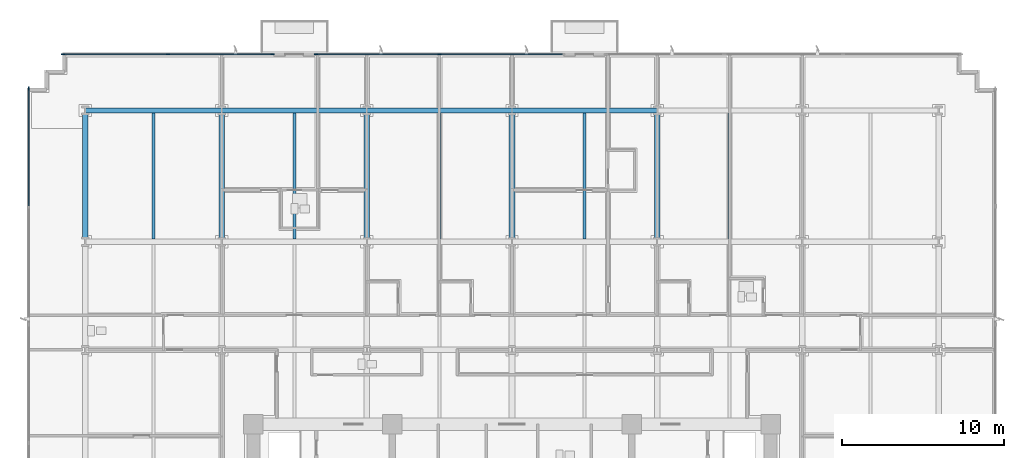
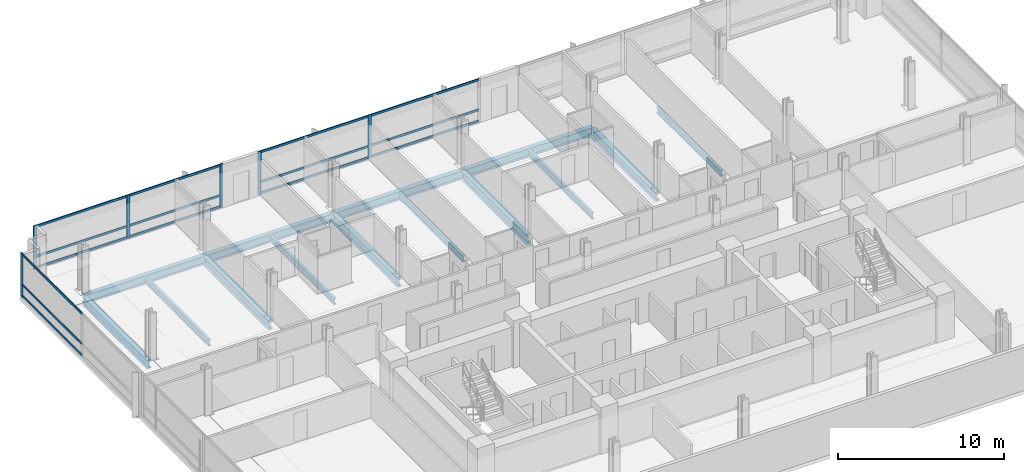
# One storey, part 5 of 16: 21 members, 14 beams, 3 elements without a shape of their own.
"""IFC4 building model written with IfcOpenShell, lengths in metres."""

from ifc_helpers import new_model, si_unit, direction, frame, origin, origin_2d, place, context, subcontext, project, spatial, rectangle, i_section, extrude, material, material_profile, profile_set, type_object, element, aggregate, save


model = new_model("IFC4")

# Units and contexts
model_context = context("Model", 3, precision=1e-05, world=origin(), true_north=direction((0.0, 1.0)))
body_context = subcontext(model_context, "Body", "Model", "MODEL_VIEW")
ifc_project = project(units=[si_unit("LENGTHUNIT", "METRE"), si_unit("AREAUNIT", "SQUARE_METRE"), si_unit("VOLUMEUNIT", "CUBIC_METRE"), si_unit("PLANEANGLEUNIT", "RADIAN"), si_unit("MASSUNIT", "GRAM", prefix="KILO")], contexts=[model_context])

# Site, building, storey
site_placement = place(None, origin())
site = spatial("IfcSite", under=ifc_project, at=site_placement, CompositionType="ELEMENT")
building_placement = place(site_placement, origin())
building = spatial("IfcBuilding", under=site, at=building_placement, Name="Solmavex Isthmus Hotel", CompositionType="ELEMENT")
storey_placement = place(building_placement, frame((0.0, 0.0, 67.800048828125)))
storey = spatial("IfcBuildingStorey", under=building, at=storey_placement, Name="L18", CompositionType="ELEMENT", Elevation=67.800048828125)

# Beams
ifc_material_1 = material(Name="Steel ASTM A992 Grade 50", Category="steel")
ifc_material_profile_1 = material_profile(ifc_material_1, i_section(OverallWidth=0.354736328125, OverallDepth=0.695556640625, WebThickness=0.015380859375, FlangeThickness=0.02490234375, FilletRadius=0.017822265625, at=origin_2d()), Name="W27X146")
ifc_profile_set_1 = profile_set([ifc_material_profile_1], Name="Steel ASTM A992 Grade 50")
beam_type_1 = type_object("IfcBeamType", Name="BM-BG-W27X146", PredefinedType="BEAM", material=ifc_profile_set_1)
for number, where, z_axis, x_axis, name in (
    (1, (-17.951904296875, 8.96533203125, -0.60791015625), (0.0, 1.0, 0.0), (-1.0, 0.0, 0.0), "Floor Beam L18-VG30"),
    (2, (-8.97607421875, 8.96533203125, -0.60791015625), (0.0, 1.0, 0.0), (-1.0, 0.0, 0.0), "Floor Beam L18-VG34"),
    (3, (0.0, 8.96533203125, -0.60791015625), (0.0, 1.0, 0.0), (-1.0, 0.0, 0.0), "Floor Beam L18-VG38"),
    (4, (8.97607421875, 8.96533203125, -0.60791015625), (0.0, 1.0, 0.0), (-1.0, 0.0, 0.0), "Floor Beam L18-VG42"),
):
    element("IfcBeam", number, at=place(storey_placement, frame(where, z_axis=z_axis, x_axis=x_axis)), inside=storey, type_object=beam_type_1, Name=name, PredefinedType="BEAM", context=body_context, shape_type="SweptSolid", body=[
        extrude(i_section(OverallWidth=0.354736328125, OverallDepth=0.695556640625, WebThickness=0.015380859375, FlangeThickness=0.02490234375, FilletRadius=0.017822265625, at=origin_2d()), origin(), (0.0, 0.0, 1.0), 7.771484375),
    ])
ifc_material_profile_2 = material_profile(ifc_material_1, i_section(OverallWidth=0.1904296875, OverallDepth=0.456787109375, WebThickness=0.009033203125, FlangeThickness=0.014404296875, FilletRadius=0.0126953125, at=origin_2d()), Name="W18X50")
ifc_profile_set_2 = profile_set([ifc_material_profile_2], Name="Steel ASTM A992 Grade 50")
beam_type_2 = type_object("IfcBeamType", Name="BM-BJ-W18X50", PredefinedType="JOIST", material=ifc_profile_set_2)
for number, where, z_axis, x_axis, name in (
    (5, (-22.176025390625, 8.96533203125, -0.488525390625), (0.0, 1.0, 0.0), (-1.0, 0.0, 0.0), "Secondary Floor Joist L18-J03"),
    (6, (-13.464111328125, 8.96533203125, -0.488525390625), (0.0, 1.0, 0.0), (-1.0, 0.0, 0.0), "Secondary Floor Joist L18-J07"),
    (7, (-4.488037109375, 8.96533203125, -0.488525390625), (0.0, 1.0, 0.0), (-1.0, 0.0, 0.0), "Secondary Floor Joist L18-J11"),
    (8, (4.488037109375, 8.96533203125, -0.488525390625), (0.0, 1.0, 0.0), (-1.0, 0.0, 0.0), "Secondary Floor Joist L18-J15"),
    (9, (13.464111328125, 8.96533203125, -0.488525390625), (0.0, 1.0, 0.0), (-1.0, 0.0, 0.0), "Secondary Floor Joist L18-J19"),
):
    element("IfcBeam", number, at=place(storey_placement, frame(where, z_axis=z_axis, x_axis=x_axis)), inside=storey, type_object=beam_type_2, Name=name, PredefinedType="JOIST", context=body_context, shape_type="SweptSolid", body=[
        extrude(i_section(OverallWidth=0.1904296875, OverallDepth=0.456787109375, WebThickness=0.009033203125, FlangeThickness=0.014404296875, FilletRadius=0.0126953125, at=origin_2d()), origin(), (0.0, 0.0, 1.0), 7.771484375),
    ])
ifc_material_profile_3 = material_profile(ifc_material_1, i_section(OverallWidth=0.326416015625, OverallDepth=0.621826171875, WebThickness=0.015380859375, FlangeThickness=0.0244140625, FilletRadius=0.01513671875, at=origin_2d()), Name="W24X131")
ifc_profile_set_3 = profile_set([ifc_material_profile_3], Name="Steel ASTM A992 Grade 50")
beam_type_3 = type_object("IfcBeamType", Name="BM-SP-W24X131", PredefinedType="SPANDREL", material=ifc_profile_set_3)
beam_1_placement = place(storey_placement, frame((-26.39990234375, 16.89990234375, -0.571044921875), z_axis=(1.0, 0.0, 0.0), x_axis=(0.0, 1.0, 0.0)))
element("IfcBeam", 10, at=beam_1_placement, inside=storey, type_object=beam_type_3, Name="Floor Girder L18-UG19", PredefinedType="SPANDREL", context=body_context, shape_type="SweptSolid", body=[
    extrude(i_section(OverallWidth=0.326416015625, OverallDepth=0.621826171875, WebThickness=0.015380859375, FlangeThickness=0.0244140625, FilletRadius=0.01513671875, at=origin_2d()), origin(), (0.0, 0.0, 1.0), 8.447998046875),
])
beam_2_placement = place(storey_placement, frame((-17.951904296875, 16.89990234375, -0.571044921875), z_axis=(1.0, 0.0, 0.0), x_axis=(0.0, 1.0, 0.0)))
element("IfcBeam", 11, at=beam_2_placement, inside=storey, type_object=beam_type_3, Name="Floor Girder L18-UG20", PredefinedType="SPANDREL", context=body_context, shape_type="SweptSolid", body=[
    extrude(i_section(OverallWidth=0.326416015625, OverallDepth=0.621826171875, WebThickness=0.015380859375, FlangeThickness=0.0244140625, FilletRadius=0.01513671875, at=origin_2d()), origin(), (0.0, 0.0, 1.0), 8.975830078125),
])
for number, where, z_axis, x_axis, name in (
    (12, (-8.97607421875, 16.89990234375, -0.571044921875), (1.0, 0.0, 0.0), (0.0, 1.0, 0.0), "Floor Girder L18-UG21"),
    (13, (0.0, 16.89990234375, -0.571044921875), (1.0, 0.0, 0.0), (0.0, 1.0, 0.0), "Floor Girder L18-UG22"),
):
    element("IfcBeam", number, at=place(storey_placement, frame(where, z_axis=z_axis, x_axis=x_axis)), inside=storey, type_object=beam_type_3, Name=name, PredefinedType="SPANDREL", context=body_context, shape_type="SweptSolid", body=[
        extrude(i_section(OverallWidth=0.326416015625, OverallDepth=0.621826171875, WebThickness=0.015380859375, FlangeThickness=0.0244140625, FilletRadius=0.01513671875, at=origin_2d()), origin(), (0.0, 0.0, 1.0), 8.97607421875),
    ])
beam_3_placement = place(storey_placement, frame((-26.39990234375, 8.96533203125, -0.571044921875), z_axis=(0.0, 1.0, 0.0), x_axis=(-1.0, 0.0, 0.0)))
element("IfcBeam", 14, at=beam_3_placement, inside=storey, type_object=beam_type_3, Name="Floor Beam L18-VG27", PredefinedType="SPANDREL", context=body_context, shape_type="SweptSolid", body=[
    extrude(i_section(OverallWidth=0.326416015625, OverallDepth=0.621826171875, WebThickness=0.015380859375, FlangeThickness=0.0244140625, FilletRadius=0.01513671875, at=origin_2d()), origin(), (0.0, 0.0, 1.0), 7.771484375),
])

# Curtain wall, members
ifc_material_2 = material(Name="Aluminium alloy 6063-T6", Category="aluminium")
curtain_wall_type = type_object("IfcCurtainWallType", Name="CW-SYS-02", PredefinedType="NOTDEFINED", material=ifc_material_2)
curtain_wall_1_placement = place(storey_placement, origin())
curtain_wall_1 = element("IfcCurtainWall", 15, at=curtain_wall_1_placement, inside=storey, type_object=curtain_wall_type, Name="Stick Curtain Wall CWL-L18-N1", PredefinedType="NOTDEFINED")
ifc_material_profile_4 = material_profile(ifc_material_2, rectangle(XDim=0.074951171875, YDim=0.219970703125, at=origin_2d()), Name="CWM-75X220")
ifc_profile_set_4 = profile_set([ifc_material_profile_4], Name="Aluminium alloy 6063-T6")
member_type_1 = type_object("IfcMemberType", Name="CW-SYS-02-MUL", PredefinedType="MULLION", material=ifc_profile_set_4)
member_1_placement = place(storey_placement, frame((-27.762451171875, 20.3798828125, 0.0), z_axis=(0.0, 0.0, 1.0), x_axis=(0.0, 1.0, 0.0)))
member_1 = element("IfcMember", 16, at=member_1_placement, type_object=member_type_1, Name="CW-02 mullion 1", PredefinedType="MULLION", context=body_context, shape_type="SweptSolid", body=[
    extrude(rectangle(XDim=0.074951171875, YDim=0.219970703125, at=origin_2d()), origin(), (0.0, 0.0, 1.0), 3.18994140625),
])
member_2_placement = place(storey_placement, frame((-21.281982421875, 20.3798828125, 0.0), z_axis=(0.0, 0.0, 1.0), x_axis=(0.0, 1.0, 0.0)))
member_2 = element("IfcMember", 17, at=member_2_placement, type_object=member_type_1, Name="CW-02 mullion 2", PredefinedType="MULLION", context=body_context, shape_type="SweptSolid", body=[
    extrude(rectangle(XDim=0.074951171875, YDim=0.219970703125, at=origin_2d()), origin(), (0.0, 0.0, 1.0), 3.18994140625),
])
member_3_placement = place(storey_placement, frame((-14.801513671875, 20.3798828125, 0.0), z_axis=(0.0, 0.0, 1.0), x_axis=(0.0, 1.0, 0.0)))
member_3 = element("IfcMember", 18, at=member_3_placement, type_object=member_type_1, Name="CW-02 mullion 3", PredefinedType="MULLION", context=body_context, shape_type="SweptSolid", body=[
    extrude(rectangle(XDim=0.074951171875, YDim=0.219970703125, at=origin_2d()), origin(), (0.0, 0.0, 1.0), 3.18994140625),
])

curtain_wall_2_placement = place(storey_placement, origin())
curtain_wall_2 = element("IfcCurtainWall", 19, at=curtain_wall_2_placement, inside=storey, type_object=curtain_wall_type, Name="Stick Curtain Wall CWL-L18-N2", PredefinedType="NOTDEFINED")
member_4_placement = place(storey_placement, frame((-12.12646484375, 20.3798828125, 0.0), z_axis=(0.0, 0.0, 1.0), x_axis=(0.0, 1.0, 0.0)))
member_4 = element("IfcMember", 20, at=member_4_placement, type_object=member_type_1, Name="CW-02 mullion 1", PredefinedType="MULLION", context=body_context, shape_type="SweptSolid", body=[
    extrude(rectangle(XDim=0.074951171875, YDim=0.219970703125, at=origin_2d()), origin(), (0.0, 0.0, 1.0), 3.18994140625),
])
member_5_placement = place(storey_placement, frame((-4.488037109375, 20.3798828125, 0.0), z_axis=(0.0, 0.0, 1.0), x_axis=(0.0, 1.0, 0.0)))
member_5 = element("IfcMember", 21, at=member_5_placement, type_object=member_type_1, Name="CW-02 mullion 2", PredefinedType="MULLION", context=body_context, shape_type="SweptSolid", body=[
    extrude(rectangle(XDim=0.074951171875, YDim=0.219970703125, at=origin_2d()), origin(), (0.0, 0.0, 1.0), 3.18994140625),
])

# Curtain wall, member
curtain_wall_3_placement = place(storey_placement, origin())
curtain_wall_3 = element("IfcCurtainWall", 22, at=curtain_wall_3_placement, inside=storey, type_object=curtain_wall_type, Name="Stick Curtain Wall CWL-L18-W1", PredefinedType="NOTDEFINED")
member_6_placement = place(storey_placement, frame((-29.8798828125, 18.262451171875, 0.0), z_axis=(0.0, 0.0, 1.0), x_axis=(-1.0, 0.0, 0.0)))
member_6 = element("IfcMember", 23, at=member_6_placement, type_object=member_type_1, Name="CW-02 mullion 6", PredefinedType="MULLION", context=body_context, shape_type="SweptSolid", body=[
    extrude(rectangle(XDim=0.074951171875, YDim=0.219970703125, at=origin_2d()), origin(), (0.0, 0.0, 1.0), 3.18994140625),
])

# Member
ifc_material_profile_5 = material_profile(ifc_material_2, rectangle(XDim=0.074951171875, YDim=0.159912109375, at=origin_2d()), Name="CWT-75X160")
ifc_profile_set_5 = profile_set([ifc_material_profile_5], Name="Aluminium alloy 6063-T6")
member_type_2 = type_object("IfcMemberType", Name="CW-SYS-02-TRN", PredefinedType="USERDEFINED", material=ifc_profile_set_5)
member_7_placement = place(storey_placement, frame((-27.72509765625, 20.3798828125, 0.079833984375), z_axis=(1.0, 0.0, 0.0), x_axis=(0.0, 1.0, 0.0)))
member_7 = element("IfcMember", 24, at=member_7_placement, type_object=member_type_2, Name="CW-02 transom 1.1", ObjectType="TRANSOM", PredefinedType="USERDEFINED", context=body_context, shape_type="SweptSolid", body=[
    extrude(rectangle(XDim=0.074951171875, YDim=0.159912109375, at=origin_2d()), origin(), (0.0, 0.0, 1.0), 6.405517578125),
])

member_8_placement = place(storey_placement, frame((-27.72509765625, 20.3798828125, 0.89990234375), z_axis=(1.0, 0.0, 0.0), x_axis=(0.0, 1.0, 0.0)))
member_8 = element("IfcMember", 25, at=member_8_placement, type_object=member_type_2, Name="CW-02 transom 1.2", ObjectType="TRANSOM", PredefinedType="USERDEFINED", context=body_context, shape_type="SweptSolid", body=[
    extrude(rectangle(XDim=0.074951171875, YDim=0.159912109375, at=origin_2d()), origin(), (0.0, 0.0, 1.0), 6.405517578125),
])

member_9_placement = place(storey_placement, frame((-27.72509765625, 20.3798828125, 3.10986328125), z_axis=(1.0, 0.0, 0.0), x_axis=(0.0, 1.0, 0.0)))
member_9 = element("IfcMember", 26, at=member_9_placement, type_object=member_type_2, Name="CW-02 transom 1.3", ObjectType="TRANSOM", PredefinedType="USERDEFINED", context=body_context, shape_type="SweptSolid", body=[
    extrude(rectangle(XDim=0.074951171875, YDim=0.159912109375, at=origin_2d()), origin(), (0.0, 0.0, 1.0), 6.405517578125),
])

member_10_placement = place(storey_placement, frame((-21.244384765625, 20.3798828125, 0.079833984375), z_axis=(1.0, 0.0, 0.0), x_axis=(0.0, 1.0, 0.0)))
member_10 = element("IfcMember", 27, at=member_10_placement, type_object=member_type_2, Name="CW-02 transom 2.1", ObjectType="TRANSOM", PredefinedType="USERDEFINED", context=body_context, shape_type="SweptSolid", body=[
    extrude(rectangle(XDim=0.074951171875, YDim=0.159912109375, at=origin_2d()), origin(), (0.0, 0.0, 1.0), 6.4052734375),
])

member_11_placement = place(storey_placement, frame((-21.244384765625, 20.3798828125, 0.89990234375), z_axis=(1.0, 0.0, 0.0), x_axis=(0.0, 1.0, 0.0)))
member_11 = element("IfcMember", 28, at=member_11_placement, type_object=member_type_2, Name="CW-02 transom 2.2", ObjectType="TRANSOM", PredefinedType="USERDEFINED", context=body_context, shape_type="SweptSolid", body=[
    extrude(rectangle(XDim=0.074951171875, YDim=0.159912109375, at=origin_2d()), origin(), (0.0, 0.0, 1.0), 6.4052734375),
])

member_12_placement = place(storey_placement, frame((-21.244384765625, 20.3798828125, 3.10986328125), z_axis=(1.0, 0.0, 0.0), x_axis=(0.0, 1.0, 0.0)))
member_12 = element("IfcMember", 29, at=member_12_placement, type_object=member_type_2, Name="CW-02 transom 2.3", ObjectType="TRANSOM", PredefinedType="USERDEFINED", context=body_context, shape_type="SweptSolid", body=[
    extrude(rectangle(XDim=0.074951171875, YDim=0.159912109375, at=origin_2d()), origin(), (0.0, 0.0, 1.0), 6.4052734375),
])

aggregate(curtain_wall_1, [member_1, member_2, member_3, member_7, member_8, member_9, member_10, member_11, member_12])

member_13_placement = place(storey_placement, frame((-12.089111328125, 20.3798828125, 0.079833984375), z_axis=(1.0, 0.0, 0.0), x_axis=(0.0, 1.0, 0.0)))
member_13 = element("IfcMember", 30, at=member_13_placement, type_object=member_type_2, Name="CW-02 transom 1.1", ObjectType="TRANSOM", PredefinedType="USERDEFINED", context=body_context, shape_type="SweptSolid", body=[
    extrude(rectangle(XDim=0.074951171875, YDim=0.159912109375, at=origin_2d()), origin(), (0.0, 0.0, 1.0), 7.563720703125),
])

member_14_placement = place(storey_placement, frame((-12.089111328125, 20.3798828125, 0.89990234375), z_axis=(1.0, 0.0, 0.0), x_axis=(0.0, 1.0, 0.0)))
member_14 = element("IfcMember", 31, at=member_14_placement, type_object=member_type_2, Name="CW-02 transom 1.2", ObjectType="TRANSOM", PredefinedType="USERDEFINED", context=body_context, shape_type="SweptSolid", body=[
    extrude(rectangle(XDim=0.074951171875, YDim=0.159912109375, at=origin_2d()), origin(), (0.0, 0.0, 1.0), 7.563720703125),
])

member_15_placement = place(storey_placement, frame((-12.089111328125, 20.3798828125, 3.10986328125), z_axis=(1.0, 0.0, 0.0), x_axis=(0.0, 1.0, 0.0)))
member_15 = element("IfcMember", 32, at=member_15_placement, type_object=member_type_2, Name="CW-02 transom 1.3", ObjectType="TRANSOM", PredefinedType="USERDEFINED", context=body_context, shape_type="SweptSolid", body=[
    extrude(rectangle(XDim=0.074951171875, YDim=0.159912109375, at=origin_2d()), origin(), (0.0, 0.0, 1.0), 7.563720703125),
])

member_16_placement = place(storey_placement, frame((-4.450439453125, 20.3798828125, 0.079833984375), z_axis=(1.0, 0.0, 0.0), x_axis=(0.0, 1.0, 0.0)))
member_16 = element("IfcMember", 33, at=member_16_placement, type_object=member_type_2, Name="CW-02 transom 2.1", ObjectType="TRANSOM", PredefinedType="USERDEFINED", context=body_context, shape_type="SweptSolid", body=[
    extrude(rectangle(XDim=0.074951171875, YDim=0.159912109375, at=origin_2d()), origin(), (0.0, 0.0, 1.0), 7.5634765625),
])

member_17_placement = place(storey_placement, frame((-4.450439453125, 20.3798828125, 0.89990234375), z_axis=(1.0, 0.0, 0.0), x_axis=(0.0, 1.0, 0.0)))
member_17 = element("IfcMember", 34, at=member_17_placement, type_object=member_type_2, Name="CW-02 transom 2.2", ObjectType="TRANSOM", PredefinedType="USERDEFINED", context=body_context, shape_type="SweptSolid", body=[
    extrude(rectangle(XDim=0.074951171875, YDim=0.159912109375, at=origin_2d()), origin(), (0.0, 0.0, 1.0), 7.5634765625),
])

member_18_placement = place(storey_placement, frame((-4.450439453125, 20.3798828125, 3.10986328125), z_axis=(1.0, 0.0, 0.0), x_axis=(0.0, 1.0, 0.0)))
member_18 = element("IfcMember", 35, at=member_18_placement, type_object=member_type_2, Name="CW-02 transom 2.3", ObjectType="TRANSOM", PredefinedType="USERDEFINED", context=body_context, shape_type="SweptSolid", body=[
    extrude(rectangle(XDim=0.074951171875, YDim=0.159912109375, at=origin_2d()), origin(), (0.0, 0.0, 1.0), 7.5634765625),
])

aggregate(curtain_wall_2, [member_4, member_5, member_13, member_14, member_15, member_16, member_17, member_18])

member_19_placement = place(storey_placement, frame((-29.8798828125, 11.017578125, 0.079833984375), z_axis=(0.0, 1.0, 0.0), x_axis=(-1.0, 0.0, 0.0)))
member_19 = element("IfcMember", 36, at=member_19_placement, type_object=member_type_2, Name="CW-02 transom 5.1", ObjectType="TRANSOM", PredefinedType="USERDEFINED", context=body_context, shape_type="SweptSolid", body=[
    extrude(rectangle(XDim=0.074951171875, YDim=0.159912109375, at=origin_2d()), origin(), (0.0, 0.0, 1.0), 7.20751953125),
])

member_20_placement = place(storey_placement, frame((-29.8798828125, 11.017578125, 0.89990234375), z_axis=(0.0, 1.0, 0.0), x_axis=(-1.0, 0.0, 0.0)))
member_20 = element("IfcMember", 37, at=member_20_placement, type_object=member_type_2, Name="CW-02 transom 5.2", ObjectType="TRANSOM", PredefinedType="USERDEFINED", context=body_context, shape_type="SweptSolid", body=[
    extrude(rectangle(XDim=0.074951171875, YDim=0.159912109375, at=origin_2d()), origin(), (0.0, 0.0, 1.0), 7.20751953125),
])

member_21_placement = place(storey_placement, frame((-29.8798828125, 11.017578125, 3.10986328125), z_axis=(0.0, 1.0, 0.0), x_axis=(-1.0, 0.0, 0.0)))
member_21 = element("IfcMember", 38, at=member_21_placement, type_object=member_type_2, Name="CW-02 transom 5.3", ObjectType="TRANSOM", PredefinedType="USERDEFINED", context=body_context, shape_type="SweptSolid", body=[
    extrude(rectangle(XDim=0.074951171875, YDim=0.159912109375, at=origin_2d()), origin(), (0.0, 0.0, 1.0), 7.20751953125),
])

aggregate(curtain_wall_3, [member_6, member_19, member_20, member_21])

save(model, "model.ifc")
